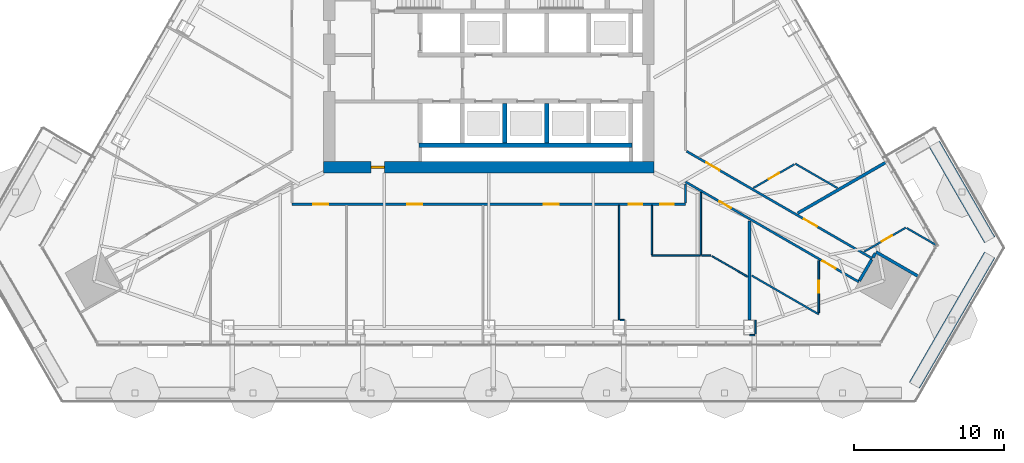
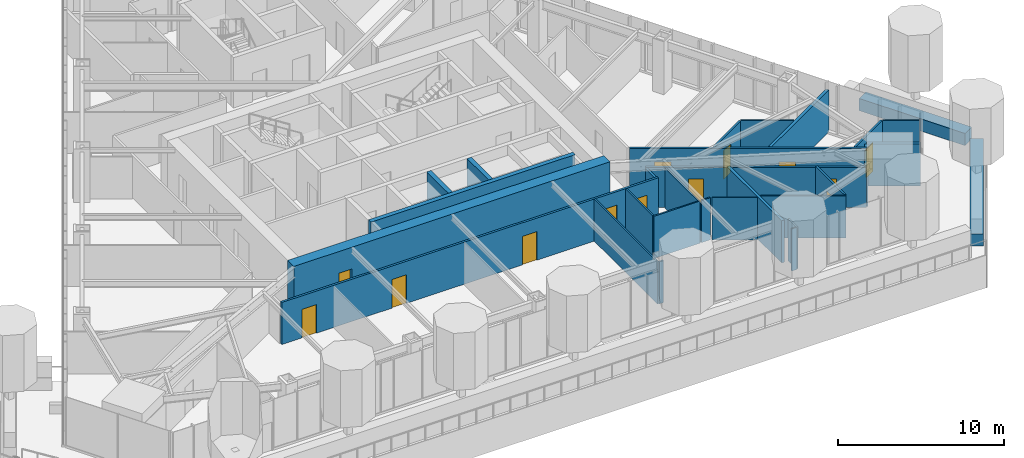
# One storey, part 17 of 24: 30 walls, 13 doors, 13 openings.
"""IFC4 building model written with IfcOpenShell, lengths in metres."""

from ifc_helpers import new_model, si_unit, direction, frame, frame_2d, origin, place, context, subcontext, project, spatial, rectangle, extrude, material, layer, layer_set, type_object, element, fill, save


model = new_model("IFC4")

# Units and contexts
model_context = context("Model", 3, precision=1e-05, world=origin(), true_north=direction((0.0, 1.0)))
body_context = subcontext(model_context, "Body", "Model", "MODEL_VIEW")
ifc_project = project(units=[si_unit("LENGTHUNIT", "METRE"), si_unit("AREAUNIT", "SQUARE_METRE"), si_unit("VOLUMEUNIT", "CUBIC_METRE"), si_unit("PLANEANGLEUNIT", "RADIAN"), si_unit("MASSUNIT", "GRAM", prefix="KILO")], contexts=[model_context])

# Site, building, storey
site_placement = place(None, origin())
site = spatial("IfcSite", under=ifc_project, at=site_placement, CompositionType="ELEMENT")
building_placement = place(site_placement, origin())
building = spatial("IfcBuilding", under=site, at=building_placement, Name="Firuza Gate Tower and Library", CompositionType="ELEMENT")
storey_placement = place(building_placement, frame((0.0, 0.0, 194.800048828125)))
storey = spatial("IfcBuildingStorey", under=building, at=storey_placement, Name="L45", CompositionType="ELEMENT", Elevation=194.800048828125)

# Walls
ifc_material_1 = material(Name="Concrete C80/95", Category="concrete")
ifc_layer_1 = layer(ifc_material_1, 0.300048828125)
ifc_layer_set_1 = layer_set([ifc_layer_1], Name="Core wall 300 C80/95")
wall_type_1 = type_object("IfcWallType", Name="Core wall 300 C80/95", PredefinedType="SHEAR", material=ifc_layer_set_1)
wall_1_placement = place(storey_placement, frame((70.35009765625, 68.85009765625, 0.0), z_axis=(0.0, 0.0, 1.0), x_axis=(1.0, 0.0, 0.0)))
element("IfcWall", 1, at=wall_1_placement, inside=storey, type_object=wall_type_1, Name="Core wall L45 5", PredefinedType="SHEAR", context=body_context, shape_type="SweptSolid", body=[
    extrude(rectangle(XDim=14.199951171875, YDim=0.300048828125, at=frame_2d((7.10009765625, 0.0))), origin(), (0.0, 0.0, 1.0), 3.699951171875),
])
for number, where, z_axis, x_axis, name in (
    (2, (76.050048828125, 69.0, 0.0), (0.0, 0.0, 1.0), (0.0, 1.0, 0.0), "Core wall L45 12"),
    (3, (78.85009765625, 69.0, 0.0), (0.0, 0.0, 1.0), (0.0, 1.0, 0.0), "Core wall L45 14"),
):
    element("IfcWall", number, at=place(storey_placement, frame(where, z_axis=z_axis, x_axis=x_axis)), inside=storey, type_object=wall_type_1, Name=name, PredefinedType="SHEAR", context=body_context, shape_type="SweptSolid", body=[
        extrude(rectangle(XDim=2.60009765625, YDim=0.300048828125, at=frame_2d((1.300048828125, 0.0))), origin(), (0.0, 0.0, 1.0), 3.699951171875),
    ])

# Wall, opening, door
ifc_material_2 = material(Name="Concrete C80/95", Category="concrete")
ifc_layer_2 = layer(ifc_material_2, 0.75)
ifc_layer_set_2 = layer_set([ifc_layer_2], Name="Core wall 750 C80/95")
wall_type_2 = type_object("IfcWallType", Name="Core wall 750 C80/95", PredefinedType="SHEAR", material=ifc_layer_set_2)
wall_2_placement = place(storey_placement, frame((64.0, 67.375, 0.0), z_axis=(0.0, 0.0, 1.0), x_axis=(1.0, 0.0, 0.0)))
wall_2 = element("IfcWall", 4, at=wall_2_placement, inside=storey, type_object=wall_type_2, Name="Core wall L45 1", PredefinedType="SHEAR", context=body_context, shape_type="SweptSolid", body=[
    extrude(rectangle(XDim=22.0, YDim=0.75, at=frame_2d((11.0, 0.0))), origin(), (0.0, 0.0, 1.0), 3.699951171875),
])
opening_1_placement = place(wall_2_placement, frame((3.14990234375, 0.0, 0.0)))
opening_1 = element("IfcOpeningElement", 5, at=opening_1_placement, cuts=wall_2, Name="Opening L45-K22", PredefinedType="OPENING", context=body_context, shape_type="SweptSolid", body=[
    extrude(rectangle(XDim=0.89990234375, YDim=2.10009765625, at=frame_2d((0.449951171875, 1.050048828125))), frame((0.0, 0.385009765625, 0.0), z_axis=(0.0, -1.0, 0.0), x_axis=(1.0, 0.0, 0.0)), (0.0, 0.0, 1.0), 0.77001953125),
])
ifc_material_3 = material(Name="Steel", Category="steel")
door_type_1 = type_object("IfcDoorType", Name="Fire door 900x2100 FD30S", OperationType="NOTDEFINED", PredefinedType="DOOR", material=ifc_material_3)
door_1_placement = place(opening_1_placement, origin())
door_1 = element("IfcDoor", 6, at=door_1_placement, inside=storey, type_object=door_type_1, Name="Door L45-K22", OperationType="SINGLE_SWING_LEFT", OverallHeight=2.10009765625, OverallWidth=0.89990234375, PredefinedType="DOOR", context=body_context, shape_type="SweptSolid", body=[
    extrude(rectangle(XDim=0.89990234375, YDim=2.10009765625, at=frame_2d((0.449951171875, 1.050048828125))), frame((0.0, 0.094970703125, 0.0), z_axis=(0.0, -1.0, 0.0), x_axis=(1.0, 0.0, 0.0)), (0.0, 0.0, 1.0), 0.18994140625),
])
fill(opening_1, door_1)

# Wall, openings, doors
ifc_material_4 = material(Name="Gypsum board partition")
ifc_layer_3 = layer(ifc_material_4, 0.14990234375)
ifc_layer_set_3 = layer_set([ifc_layer_3], Name="Corridor wall 150 double board on steel studs")
wall_type_3 = type_object("IfcWallType", Name="Corridor wall 150 double board on steel studs", PredefinedType="PARTITIONING", material=ifc_layer_set_3)
wall_3_placement = place(storey_placement, frame((88.10009765625, 64.89990234375, 0.0), z_axis=(0.0, 0.0, 1.0), x_axis=(-1.0, 0.0, 0.0)))
wall_3 = element("IfcWall", 7, at=wall_3_placement, inside=storey, type_object=wall_type_3, Name="f:L45:w004", PredefinedType="PARTITIONING", context=body_context, shape_type="SweptSolid", body=[
    extrude(rectangle(XDim=26.19970703125, YDim=0.14990234375, at=frame_2d((13.099853515625, 0.0))), origin(), (0.0, 0.0, 1.0), 3.099853515625),
])
opening_2_placement = place(wall_3_placement, frame((0.77294921875, 0.0, 0.0)))
opening_2 = element("IfcOpeningElement", 8, at=opening_2_placement, cuts=wall_3, Name="Opening L45-01", PredefinedType="OPENING", context=body_context, shape_type="SweptSolid", body=[
    extrude(rectangle(XDim=0.89990234375, YDim=2.10009765625, at=frame_2d((0.449951171875, 1.050048828125))), frame((0.0, 0.0849609375, 0.0), z_axis=(0.0, -1.0, 0.0), x_axis=(1.0, 0.0, 0.0)), (0.0, 0.0, 1.0), 0.169921875),
])
opening_3_placement = place(wall_3_placement, frame((2.87841796875, 0.0, 0.0)))
opening_3 = element("IfcOpeningElement", 9, at=opening_3_placement, cuts=wall_3, Name="Opening L45-02", PredefinedType="OPENING", context=body_context, shape_type="SweptSolid", body=[
    extrude(rectangle(XDim=0.89990234375, YDim=2.10009765625, at=frame_2d((0.449951171875, 1.050048828125))), frame((0.0, 0.0849609375, 0.0), z_axis=(0.0, -1.0, 0.0), x_axis=(1.0, 0.0, 0.0)), (0.0, 0.0, 1.0), 0.169921875),
])
opening_4_placement = place(wall_3_placement, frame((8.44970703125, 0.0, 0.0)))
opening_4 = element("IfcOpeningElement", 10, at=opening_4_placement, cuts=wall_3, Name="Opening L45-03", PredefinedType="OPENING", context=body_context, shape_type="SweptSolid", body=[
    extrude(rectangle(XDim=1.0, YDim=2.10009765625, at=frame_2d((0.5, 1.050048828125))), frame((0.0, 0.0849609375, 0.0), z_axis=(0.0, -1.0, 0.0), x_axis=(1.0, 0.0, 0.0)), (0.0, 0.0, 1.0), 0.169921875),
])
opening_5_placement = place(wall_3_placement, frame((17.5205078125, 0.0, 0.0)))
opening_5 = element("IfcOpeningElement", 11, at=opening_5_placement, cuts=wall_3, Name="Opening L45-04", PredefinedType="OPENING", context=body_context, shape_type="SweptSolid", body=[
    extrude(rectangle(XDim=1.0, YDim=2.10009765625, at=frame_2d((0.5, 1.050048828125))), frame((0.0, 0.0849609375, 0.0), z_axis=(0.0, -1.0, 0.0), x_axis=(1.0, 0.0, 0.0)), (0.0, 0.0, 1.0), 0.169921875),
])
opening_6_placement = place(wall_3_placement, frame((23.776123046875, 0.0, 0.0)))
opening_6 = element("IfcOpeningElement", 12, at=opening_6_placement, cuts=wall_3, Name="Opening L45-05", PredefinedType="OPENING", context=body_context, shape_type="SweptSolid", body=[
    extrude(rectangle(XDim=1.0, YDim=2.10009765625, at=frame_2d((0.5, 1.050048828125))), frame((0.0, 0.0849609375, 0.0), z_axis=(0.0, -1.0, 0.0), x_axis=(1.0, 0.0, 0.0)), (0.0, 0.0, 1.0), 0.169921875),
])
ifc_material_5 = material(Name="Steel door and timber leaf", Category="steel")
door_type_2 = type_object("IfcDoorType", Name="Fire door 1000 x 2100 steel frame, timber leaf", OperationType="NOTDEFINED", PredefinedType="DOOR", material=ifc_material_5)
door_2_placement = place(opening_4_placement, origin())
door_2 = element("IfcDoor", 13, at=door_2_placement, inside=storey, type_object=door_type_2, Name="f:L45:d003", OperationType="SINGLE_SWING_LEFT", OverallHeight=2.10009765625, OverallWidth=1.0, PredefinedType="DOOR", context=body_context, shape_type="SweptSolid", body=[
    extrude(rectangle(XDim=1.0, YDim=2.10009765625, at=frame_2d((0.5, 1.050048828125))), frame((0.0, 0.02490234375, 0.0), z_axis=(0.0, -1.0, 0.0), x_axis=(1.0, 0.0, 0.0)), (0.0, 0.0, 1.0), 0.050048828125),
])
fill(opening_4, door_2)
door_3_placement = place(opening_5_placement, origin())
door_3 = element("IfcDoor", 14, at=door_3_placement, inside=storey, type_object=door_type_2, Name="f:L45:d004", OperationType="SINGLE_SWING_RIGHT", OverallHeight=2.10009765625, OverallWidth=1.0, PredefinedType="DOOR", context=body_context, shape_type="SweptSolid", body=[
    extrude(rectangle(XDim=1.0, YDim=2.10009765625, at=frame_2d((0.5, 1.050048828125))), frame((0.0, 0.02490234375, 0.0), z_axis=(0.0, -1.0, 0.0), x_axis=(1.0, 0.0, 0.0)), (0.0, 0.0, 1.0), 0.050048828125),
])
fill(opening_5, door_3)
door_4_placement = place(opening_6_placement, origin())
door_4 = element("IfcDoor", 15, at=door_4_placement, inside=storey, type_object=door_type_2, Name="f:L45:d005", OperationType="SINGLE_SWING_LEFT", OverallHeight=2.10009765625, OverallWidth=1.0, PredefinedType="DOOR", context=body_context, shape_type="SweptSolid", body=[
    extrude(rectangle(XDim=1.0, YDim=2.10009765625, at=frame_2d((0.5, 1.050048828125))), frame((0.0, 0.02490234375, 0.0), z_axis=(0.0, -1.0, 0.0), x_axis=(1.0, 0.0, 0.0)), (0.0, 0.0, 1.0), 0.050048828125),
])
fill(opening_6, door_4)
ifc_material_6 = material(Name="Steel door and timber leaf", Category="steel")
door_type_3 = type_object("IfcDoorType", Name="Fire door 900 x 2100 steel frame, timber leaf", OperationType="NOTDEFINED", PredefinedType="DOOR", material=ifc_material_6)
door_5_placement = place(opening_2_placement, origin())
door_5 = element("IfcDoor", 16, at=door_5_placement, inside=storey, type_object=door_type_3, Name="f:L45:d001", OperationType="SINGLE_SWING_LEFT", OverallHeight=2.10009765625, OverallWidth=0.89990234375, PredefinedType="DOOR", context=body_context, shape_type="SweptSolid", body=[
    extrude(rectangle(XDim=0.89990234375, YDim=2.10009765625, at=frame_2d((0.449951171875, 1.050048828125))), frame((0.0, 0.02490234375, 0.0), z_axis=(0.0, -1.0, 0.0), x_axis=(1.0, 0.0, 0.0)), (0.0, 0.0, 1.0), 0.050048828125),
])
fill(opening_2, door_5)
door_6_placement = place(opening_3_placement, origin())
door_6 = element("IfcDoor", 17, at=door_6_placement, inside=storey, type_object=door_type_3, Name="f:L45:d002", OperationType="SINGLE_SWING_RIGHT", OverallHeight=2.10009765625, OverallWidth=0.89990234375, PredefinedType="DOOR", context=body_context, shape_type="SweptSolid", body=[
    extrude(rectangle(XDim=0.89990234375, YDim=2.10009765625, at=frame_2d((0.449951171875, 1.050048828125))), frame((0.0, 0.02490234375, 0.0), z_axis=(0.0, -1.0, 0.0), x_axis=(1.0, 0.0, 0.0)), (0.0, 0.0, 1.0), 0.050048828125),
])
fill(opening_3, door_6)

# Wall
wall_4_placement = place(storey_placement, frame((88.10009765625, 64.97509765625, 0.0), z_axis=(0.0, 0.0, 1.0), x_axis=(0.0, 1.0, 0.0)))
element("IfcWall", 18, at=wall_4_placement, inside=storey, type_object=wall_type_3, Name="f:L45:w036", PredefinedType="PARTITIONING", context=body_context, shape_type="SweptSolid", body=[
    extrude(rectangle(XDim=1.285888671875, YDim=0.14990234375, at=frame_2d((0.64306640625, 0.0))), origin(), (0.0, 0.0, 1.0), 2.947021484375),
])

# Wall, openings, doors
wall_5_placement = place(storey_placement, frame((88.175048828125, 68.4326171875, 0.0), z_axis=(0.0, 0.0, 1.0), x_axis=(0.866031488074, -0.499989461553, 0.0)))
wall_5 = element("IfcWall", 19, at=wall_5_placement, inside=storey, type_object=wall_type_3, Name="f:L45:w071", PredefinedType="PARTITIONING", context=body_context, shape_type="SweptSolid", body=[
    extrude(rectangle(XDim=14.273193359375, YDim=0.14990234375, at=frame_2d((7.13671875, 0.0))), origin(), (0.0, 0.0, 1.0), 3.099853515625),
])
opening_7_placement = place(wall_5_placement, frame((1.512939453125, 0.0, 0.0)))
opening_7 = element("IfcOpeningElement", 20, at=opening_7_placement, cuts=wall_5, Name="Opening L45-30", PredefinedType="OPENING", context=body_context, shape_type="SweptSolid", body=[
    extrude(rectangle(XDim=1.0, YDim=2.10009765625, at=frame_2d((0.5, 1.050048828125))), frame((0.0, 0.0849609375, 0.0), z_axis=(0.0, -1.0, 0.0), x_axis=(1.0, 0.0, 0.0)), (0.0, 0.0, 1.0), 0.169921875),
])
opening_8_placement = place(wall_5_placement, frame((9.007568359375, 0.0, 0.0)))
opening_8 = element("IfcOpeningElement", 21, at=opening_8_placement, cuts=wall_5, Name="Opening L45-31", PredefinedType="OPENING", context=body_context, shape_type="SweptSolid", body=[
    extrude(rectangle(XDim=1.0, YDim=2.10009765625, at=frame_2d((0.5, 1.050048828125))), frame((0.0, 0.0849609375, 0.0), z_axis=(0.0, -1.0, 0.0), x_axis=(1.0, 0.0, 0.0)), (0.0, 0.0, 1.0), 0.169921875),
])
door_7_placement = place(opening_7_placement, origin())
door_7 = element("IfcDoor", 22, at=door_7_placement, inside=storey, type_object=door_type_2, Name="f:L45:d030", OperationType="SINGLE_SWING_LEFT", OverallHeight=2.10009765625, OverallWidth=1.0, PredefinedType="DOOR", context=body_context, shape_type="SweptSolid", body=[
    extrude(rectangle(XDim=1.0, YDim=2.10009765625, at=frame_2d((0.5, 1.050048828125))), frame((0.0, 0.02490234375, 0.0), z_axis=(0.0, -1.0, 0.0), x_axis=(1.0, 0.0, 0.0)), (0.0, 0.0, 1.0), 0.050048828125),
])
fill(opening_7, door_7)
door_8_placement = place(opening_8_placement, origin())
door_8 = element("IfcDoor", 23, at=door_8_placement, inside=storey, type_object=door_type_2, Name="f:L45:d031", OperationType="SINGLE_SWING_LEFT", OverallHeight=2.10009765625, OverallWidth=1.0, PredefinedType="DOOR", context=body_context, shape_type="SweptSolid", body=[
    extrude(rectangle(XDim=1.0, YDim=2.10009765625, at=frame_2d((0.5, 1.050048828125))), frame((0.0, 0.02490234375, 0.0), z_axis=(0.0, -1.0, 0.0), x_axis=(1.0, 0.0, 0.0)), (0.0, 0.0, 1.0), 0.050048828125),
])
fill(opening_8, door_8)

wall_6_placement = place(storey_placement, frame((99.6357421875, 59.737548828125, 0.0), z_axis=(0.0, 0.0, 1.0), x_axis=(-0.866031754707, 0.499988999718, 0.0)))
wall_6 = element("IfcWall", 24, at=wall_6_placement, inside=storey, type_object=wall_type_3, Name="f:L45:w074", PredefinedType="PARTITIONING", context=body_context, shape_type="SweptSolid", body=[
    extrude(rectangle(XDim=13.320068359375, YDim=0.14990234375, at=frame_2d((6.66015625, 0.0))), origin(), (0.0, 0.0, 1.0), 2.947021484375),
])
opening_9_placement = place(wall_6_placement, frame((1.795654296875, 0.0, 0.0)))
opening_9 = element("IfcOpeningElement", 25, at=opening_9_placement, cuts=wall_6, Name="Opening L45-32", PredefinedType="OPENING", context=body_context, shape_type="SweptSolid", body=[
    extrude(rectangle(XDim=1.0, YDim=2.10009765625, at=frame_2d((0.5, 1.050048828125))), frame((0.0, 0.0849609375, 0.0), z_axis=(0.0, -1.0, 0.0), x_axis=(1.0, 0.0, 0.0)), (0.0, 0.0, 1.0), 0.169921875),
])
opening_10_placement = place(wall_6_placement, frame((9.818115234375, 0.0, 0.0)))
opening_10 = element("IfcOpeningElement", 26, at=opening_10_placement, cuts=wall_6, Name="Opening L45-33", PredefinedType="OPENING", context=body_context, shape_type="SweptSolid", body=[
    extrude(rectangle(XDim=0.89990234375, YDim=2.10009765625, at=frame_2d((0.449951171875, 1.050048828125))), frame((0.0, 0.0849609375, 0.0), z_axis=(0.0, -1.0, 0.0), x_axis=(1.0, 0.0, 0.0)), (0.0, 0.0, 1.0), 0.169921875),
])
door_9_placement = place(opening_9_placement, origin())
door_9 = element("IfcDoor", 27, at=door_9_placement, inside=storey, type_object=door_type_2, Name="f:L45:d032", OperationType="SINGLE_SWING_RIGHT", OverallHeight=2.10009765625, OverallWidth=1.0, PredefinedType="DOOR", context=body_context, shape_type="SweptSolid", body=[
    extrude(rectangle(XDim=1.0, YDim=2.10009765625, at=frame_2d((0.5, 1.050048828125))), frame((0.0, 0.02490234375, 0.0), z_axis=(0.0, -1.0, 0.0), x_axis=(1.0, 0.0, 0.0)), (0.0, 0.0, 1.0), 0.050048828125),
])
fill(opening_9, door_9)
door_10_placement = place(opening_10_placement, origin())
door_10 = element("IfcDoor", 28, at=door_10_placement, inside=storey, type_object=door_type_3, Name="f:L45:d033", OperationType="SINGLE_SWING_LEFT", OverallHeight=2.10009765625, OverallWidth=0.89990234375, PredefinedType="DOOR", context=body_context, shape_type="SweptSolid", body=[
    extrude(rectangle(XDim=0.89990234375, YDim=2.10009765625, at=frame_2d((0.449951171875, 1.050048828125))), frame((0.0, 0.02490234375, 0.0), z_axis=(0.0, -1.0, 0.0), x_axis=(1.0, 0.0, 0.0)), (0.0, 0.0, 1.0), 0.050048828125),
])
fill(opening_10, door_10)

# Walls
ifc_material_7 = material(Name="Gypsum board partition")
ifc_layer_4 = layer(ifc_material_7, 0.199951171875)
ifc_layer_set_4 = layer_set([ifc_layer_4], Name="Demising wall 200 acoustic double stud")
wall_type_4 = type_object("IfcWallType", Name="Demising wall 200 acoustic double stud", PredefinedType="PARTITIONING", material=ifc_layer_set_4)
wall_7_placement = place(storey_placement, frame((95.56982421875, 64.309814453125, 0.0), z_axis=(0.0, 0.0, 1.0), x_axis=(0.866026061359, 0.499998861046, 0.0)))
element("IfcWall", 29, at=wall_7_placement, inside=storey, type_object=wall_type_4, Name="f:L45:w014", PredefinedType="PARTITIONING", context=body_context, shape_type="SweptSolid", body=[
    extrude(rectangle(XDim=6.93212890625, YDim=0.199951171875, at=frame_2d((3.466064453125, 0.0))), origin(), (0.0, 0.0, 1.0), 3.099853515625),
])
wall_8_placement = place(storey_placement, frame((99.674072265625, 59.802490234375, 0.0), z_axis=(0.0, 0.0, 1.0), x_axis=(0.499991515992, 0.866030301974, 0.0)))
element("IfcWall", 30, at=wall_8_placement, inside=storey, type_object=wall_type_4, Name="f:L45:w028", PredefinedType="PARTITIONING", context=body_context, shape_type="SweptSolid", body=[
    extrude(rectangle(XDim=1.6494140625, YDim=0.199951171875, at=frame_2d((0.82470703125, 0.0))), origin(), (0.0, 0.0, 1.0), 2.947021484375),
])
wall_9_placement = place(storey_placement, frame((92.3720703125, 57.198974609375, 0.0), z_axis=(0.0, 0.0, 1.0), x_axis=(0.0, 1.0, 0.0)))
element("IfcWall", 31, at=wall_9_placement, inside=storey, type_object=wall_type_4, Name="f:L45:w033", PredefinedType="PARTITIONING", context=body_context, shape_type="SweptSolid", body=[
    extrude(rectangle(XDim=6.585693359375, YDim=0.199951171875, at=frame_2d((3.29296875, 0.0))), origin(), (0.0, 0.0, 1.0), 3.099853515625),
])
wall_10_placement = place(storey_placement, frame((103.609375, 60.09912109375, 0.0), z_axis=(0.0, 0.0, 1.0), x_axis=(-0.866035906198, 0.499981808845, 0.0)))
element("IfcWall", 32, at=wall_10_placement, inside=storey, type_object=wall_type_4, Name="f:L45:w070", PredefinedType="PARTITIONING", context=body_context, shape_type="SweptSolid", body=[
    extrude(rectangle(XDim=3.25927734375, YDim=0.199951171875, at=frame_2d((1.629638671875, 0.0))), origin(), (0.0, 0.0, 1.0), 3.099853515625),
])
wall_11_placement = place(storey_placement, frame((100.57373046875, 61.36083984375, 0.0), z_axis=(0.0, 0.0, 1.0), x_axis=(0.500265064493, 0.865872314633, 0.0)))
element("IfcWall", 33, at=wall_11_placement, inside=storey, type_object=wall_type_4, Name="f:L45:w083", PredefinedType="PARTITIONING", context=body_context, shape_type="SweptSolid", body=[
    extrude(rectangle(XDim=0.324462890625, YDim=0.199951171875, at=frame_2d((0.162109375, 0.0))), origin(), (0.0, 0.0, 1.0), 3.099853515625),
])
ifc_material_8 = material(Name="Gypsum board partition")
ifc_layer_5 = layer(ifc_material_8, 0.10009765625)
ifc_layer_set_5 = layer_set([ifc_layer_5], Name="Partition 100 gypsum board on steel studs")
wall_type_5 = type_object("IfcWallType", Name="Partition 100 gypsum board on steel studs", PredefinedType="PARTITIONING", material=ifc_layer_set_5)
wall_12_placement = place(storey_placement, frame((92.37158203125, 56.198974609375, 0.0), z_axis=(0.0, 0.0, 1.0), x_axis=(1.0, 0.0, 0.0)))
element("IfcWall", 34, at=wall_12_placement, inside=storey, type_object=wall_type_5, Name="f:L45:w001", PredefinedType="PARTITIONING", context=body_context, shape_type="SweptSolid", body=[
    extrude(rectangle(XDim=0.349365234375, YDim=0.10009765625, at=frame_2d((0.1748046875, 0.0))), origin(), (0.0, 0.0, 1.0), 3.099853515625),
])
wall_13_placement = place(storey_placement, frame((83.745849609375, 57.198974609375, 0.0), z_axis=(0.0, 0.0, 1.0), x_axis=(1.0, 0.0, 0.0)))
element("IfcWall", 35, at=wall_13_placement, inside=storey, type_object=wall_type_5, Name="f:L45:w002", PredefinedType="PARTITIONING", context=body_context, shape_type="SweptSolid", body=[
    extrude(rectangle(XDim=0.28955078125, YDim=0.10009765625, at=frame_2d((0.144775390625, 0.0))), origin(), (0.0, 0.0, 1.0), 3.099853515625),
])
wall_14_placement = place(storey_placement, frame((85.857177734375, 61.5, 0.0), z_axis=(0.0, 0.0, 1.0), x_axis=(1.0, 0.0, 0.0)))
element("IfcWall", 36, at=wall_14_placement, inside=storey, type_object=wall_type_5, Name="f:L45:w003", PredefinedType="PARTITIONING", context=body_context, shape_type="SweptSolid", body=[
    extrude(rectangle(XDim=3.206787109375, YDim=0.10009765625, at=frame_2d((1.603515625, 0.0))), origin(), (0.0, 0.0, 1.0), 3.099853515625),
])
wall_15_placement = place(storey_placement, frame((92.77197265625, 56.199462890625, 0.0), z_axis=(0.0, 0.0, 1.0), x_axis=(0.0, 1.0, 0.0)))
element("IfcWall", 37, at=wall_15_placement, inside=storey, type_object=wall_type_5, Name="f:L45:w032", PredefinedType="PARTITIONING", context=body_context, shape_type="SweptSolid", body=[
    extrude(rectangle(XDim=0.998779296875, YDim=0.10009765625, at=frame_2d((0.49951171875, 0.0))), origin(), (0.0, 0.0, 1.0), 3.099853515625),
])
wall_16_placement = place(storey_placement, frame((89.114013671875, 61.5, 0.0), z_axis=(0.0, 0.0, 1.0), x_axis=(0.0, 1.0, 0.0)))
element("IfcWall", 38, at=wall_16_placement, inside=storey, type_object=wall_type_5, Name="f:L45:w035", PredefinedType="PARTITIONING", context=body_context, shape_type="SweptSolid", body=[
    extrude(rectangle(XDim=4.1953125, YDim=0.10009765625, at=frame_2d((2.09765625, 0.0))), origin(), (0.0, 0.0, 1.0), 2.947021484375),
])
wall_17_placement = place(storey_placement, frame((85.85693359375, 61.550048828125, 0.0), z_axis=(0.0, 0.0, 1.0), x_axis=(0.0, 1.0, 0.0)))
element("IfcWall", 39, at=wall_17_placement, inside=storey, type_object=wall_type_5, Name="f:L45:w038", PredefinedType="PARTITIONING", context=body_context, shape_type="SweptSolid", body=[
    extrude(rectangle(XDim=3.27490234375, YDim=0.10009765625, at=frame_2d((1.637451171875, 0.0))), origin(), (0.0, 0.0, 1.0), 3.099853515625),
])
wall_18_placement = place(storey_placement, frame((83.68603515625, 57.198974609375, 0.0), z_axis=(0.0, 0.0, 1.0), x_axis=(0.0, 1.0, 0.0)))
element("IfcWall", 40, at=wall_18_placement, inside=storey, type_object=wall_type_5, Name="f:L45:w040", PredefinedType="PARTITIONING", context=body_context, shape_type="SweptSolid", body=[
    extrude(rectangle(XDim=7.6259765625, YDim=0.10009765625, at=frame_2d((3.81298828125, 0.0))), origin(), (0.0, 0.0, 1.0), 3.099853515625),
])
wall_19_placement = place(storey_placement, frame((92.24560546875, 60.078125, 0.0), z_axis=(0.0, 0.0, 1.0), x_axis=(-0.866000366307, 0.500043363675, 0.0)))
element("IfcWall", 41, at=wall_19_placement, inside=storey, type_object=wall_type_5, Name="f:L45:w076", PredefinedType="PARTITIONING", context=body_context, shape_type="SweptSolid", body=[
    extrude(rectangle(XDim=2.743896484375, YDim=0.10009765625, at=frame_2d((1.3720703125, 0.0))), origin(), (0.0, 0.0, 1.0), 3.099853515625),
])
wall_20_placement = place(storey_placement, frame((89.1640625, 61.5, 0.0), z_axis=(0.0, 0.0, 1.0), x_axis=(1.0, 0.0, 0.0)))
element("IfcWall", 42, at=wall_20_placement, inside=storey, type_object=wall_type_5, Name="f:L45:w079", PredefinedType="PARTITIONING", context=body_context, shape_type="SweptSolid", body=[
    extrude(rectangle(XDim=0.61865234375, YDim=0.10009765625, at=frame_2d((0.309326171875, 0.0))), origin(), (0.0, 0.0, 1.0), 3.099853515625),
])
ifc_material_9 = material(Name="Concrete C40/50", Category="concrete")
ifc_layer_6 = layer(ifc_material_9, 0.800048828125)
ifc_layer_set_6 = layer_set([ifc_layer_6], Name="Planter wall 800")
wall_type_6 = type_object("IfcWallType", Name="Planter wall 800", PredefinedType="SOLIDWALL", material=ifc_layer_set_6)
wall_21_placement = place(storey_placement, frame((103.34033203125, 52.853271484375, 0.0), z_axis=(0.0, 0.0, 1.0), x_axis=(0.50001002959, 0.86601961312, 0.0)))
element("IfcWall", 43, at=wall_21_placement, inside=storey, type_object=wall_type_6, Name="PLANTER L45 5", PredefinedType="SOLIDWALL", context=body_context, shape_type="SweptSolid", body=[
    extrude(rectangle(XDim=10.018798828125, YDim=0.800048828125, at=frame_2d((5.00927734375, 0.0))), origin(), (0.0, 0.0, 1.0), 0.89990234375),
])
wall_22_placement = place(storey_placement, frame((108.349853515625, 62.53857421875, 0.0), z_axis=(0.0, 0.0, 1.0), x_axis=(-0.499999805269, 0.866025516212, 0.0)))
element("IfcWall", 44, at=wall_22_placement, inside=storey, type_object=wall_type_6, Name="PLANTER L45 6", PredefinedType="SOLIDWALL", context=body_context, shape_type="SweptSolid", body=[
    extrude(rectangle(XDim=7.36572265625, YDim=0.800048828125, at=frame_2d((3.682861328125, 0.0))), origin(), (0.0, 0.0, 1.0), 0.89990234375),
])

# Wall, opening, door
ifc_material_10 = material(Name="Gypsum board partition")
ifc_layer_7 = layer(ifc_material_10, 0.1201171875)
ifc_layer_set_7 = layer_set([ifc_layer_7], Name="Wet-area partition 120 moisture-resistant board")
wall_type_7 = type_object("IfcWallType", Name="Wet-area partition 120 moisture-resistant board", PredefinedType="PARTITIONING", material=ifc_layer_set_7)
wall_23_placement = place(storey_placement, frame((102.77294921875, 63.353271484375, 0.0), z_axis=(0.0, 0.0, 1.0), x_axis=(-0.866010186656, -0.500026355914, 0.0)))
wall_23 = element("IfcWall", 45, at=wall_23_placement, inside=storey, type_object=wall_type_7, Name="f:L45:w013", PredefinedType="PARTITIONING", context=body_context, shape_type="SweptSolid", body=[
    extrude(rectangle(XDim=3.221923828125, YDim=0.1201171875, at=frame_2d((1.61083984375, 0.0))), origin(), (0.0, 0.0, 1.0), 3.099853515625),
])
opening_11_placement = place(wall_23_placement, frame((1.06103515625, 0.0, 0.0)))
opening_11 = element("IfcOpeningElement", 46, at=opening_11_placement, cuts=wall_23, Name="Opening L45-12", PredefinedType="OPENING", context=body_context, shape_type="SweptSolid", body=[
    extrude(rectangle(XDim=0.800048828125, YDim=2.10009765625, at=frame_2d((0.39990234375, 1.050048828125))), frame((0.0, 0.070068359375, 0.0), z_axis=(0.0, -1.0, 0.0), x_axis=(1.0, 0.0, 0.0)), (0.0, 0.0, 1.0), 0.14013671875),
])
ifc_material_11 = material(Name="Timber door", Category="wood")
door_type_4 = type_object("IfcDoorType", Name="Door 800 x 2100 timber leaf", OperationType="NOTDEFINED", PredefinedType="DOOR", material=ifc_material_11)
door_11_placement = place(opening_11_placement, origin())
door_11 = element("IfcDoor", 47, at=door_11_placement, inside=storey, type_object=door_type_4, Name="f:L45:d012", OperationType="SINGLE_SWING_RIGHT", OverallHeight=2.10009765625, OverallWidth=0.800048828125, PredefinedType="DOOR", context=body_context, shape_type="SweptSolid", body=[
    extrude(rectangle(XDim=0.800048828125, YDim=2.10009765625, at=frame_2d((0.39990234375, 1.050048828125))), frame((0.0, 0.02490234375, 0.0), z_axis=(0.0, -1.0, 0.0), x_axis=(1.0, 0.0, 0.0)), (0.0, 0.0, 1.0), 0.050048828125),
])
fill(opening_11, door_11)

wall_24_placement = place(storey_placement, frame((95.351806640625, 67.568359375, 0.0), z_axis=(0.0, 0.0, 1.0), x_axis=(-0.866028267601, -0.499995039691, 0.0)))
wall_24 = element("IfcWall", 48, at=wall_24_placement, inside=storey, type_object=wall_type_7, Name="f:L45:w015", PredefinedType="PARTITIONING", context=body_context, shape_type="SweptSolid", body=[
    extrude(rectangle(XDim=3.15283203125, YDim=0.1201171875, at=frame_2d((1.576416015625, 0.0))), origin(), (0.0, 0.0, 1.0), 3.099853515625),
])
opening_12_placement = place(wall_24_placement, frame((1.17626953125, 0.0, 0.0)))
opening_12 = element("IfcOpeningElement", 49, at=opening_12_placement, cuts=wall_24, Name="Opening L45-13", PredefinedType="OPENING", context=body_context, shape_type="SweptSolid", body=[
    extrude(rectangle(XDim=0.800048828125, YDim=2.10009765625, at=frame_2d((0.39990234375, 1.050048828125))), frame((0.0, 0.070068359375, 0.0), z_axis=(0.0, -1.0, 0.0), x_axis=(1.0, 0.0, 0.0)), (0.0, 0.0, 1.0), 0.14013671875),
])
door_12_placement = place(opening_12_placement, origin())
door_12 = element("IfcDoor", 50, at=door_12_placement, inside=storey, type_object=door_type_4, Name="f:L45:d013", OperationType="SINGLE_SWING_RIGHT", OverallHeight=2.10009765625, OverallWidth=0.800048828125, PredefinedType="DOOR", context=body_context, shape_type="SweptSolid", body=[
    extrude(rectangle(XDim=0.800048828125, YDim=2.10009765625, at=frame_2d((0.39990234375, 1.050048828125))), frame((0.0, 0.02490234375, 0.0), z_axis=(0.0, -1.0, 0.0), x_axis=(1.0, 0.0, 0.0)), (0.0, 0.0, 1.0), 0.050048828125),
])
fill(opening_12, door_12)

wall_25_placement = place(storey_placement, frame((96.972900390625, 57.688720703125, 0.0), z_axis=(0.0, 0.0, 1.0), x_axis=(0.0, 1.0, 0.0)))
wall_25 = element("IfcWall", 51, at=wall_25_placement, inside=storey, type_object=wall_type_7, Name="f:L45:w031", PredefinedType="PARTITIONING", context=body_context, shape_type="SweptSolid", body=[
    extrude(rectangle(XDim=3.459228515625, YDim=0.1201171875, at=frame_2d((1.7294921875, 0.0))), origin(), (0.0, 0.0, 1.0), 3.099853515625),
])
opening_13_placement = place(wall_25_placement, frame((1.32958984375, 0.0, 0.0)))
opening_13 = element("IfcOpeningElement", 52, at=opening_13_placement, cuts=wall_25, Name="Opening L45-20", PredefinedType="OPENING", context=body_context, shape_type="SweptSolid", body=[
    extrude(rectangle(XDim=0.800048828125, YDim=2.10009765625, at=frame_2d((0.39990234375, 1.050048828125))), frame((0.0, 0.070068359375, 0.0), z_axis=(0.0, -1.0, 0.0), x_axis=(1.0, 0.0, 0.0)), (0.0, 0.0, 1.0), 0.14013671875),
])
door_13_placement = place(opening_13_placement, origin())
door_13 = element("IfcDoor", 53, at=door_13_placement, inside=storey, type_object=door_type_4, Name="f:L45:d020", OperationType="SINGLE_SWING_LEFT", OverallHeight=2.10009765625, OverallWidth=0.800048828125, PredefinedType="DOOR", context=body_context, shape_type="SweptSolid", body=[
    extrude(rectangle(XDim=0.800048828125, YDim=2.10009765625, at=frame_2d((0.39990234375, 1.050048828125))), frame((0.0, 0.02490234375, 0.0), z_axis=(0.0, -1.0, 0.0), x_axis=(1.0, 0.0, 0.0)), (0.0, 0.0, 1.0), 0.050048828125),
])
fill(opening_13, door_13)

# Walls
wall_26_placement = place(storey_placement, frame((104.783447265625, 62.192626953125, 0.0), z_axis=(0.0, 0.0, 1.0), x_axis=(-0.866046587367, 0.499963307164, 0.0)))
element("IfcWall", 54, at=wall_26_placement, inside=storey, type_object=wall_type_7, Name="f:L45:w068", PredefinedType="PARTITIONING", context=body_context, shape_type="SweptSolid", body=[
    extrude(rectangle(XDim=2.252197265625, YDim=0.1201171875, at=frame_2d((1.1259765625, 0.0))), origin(), (0.0, 0.0, 1.0), 3.099853515625),
])
wall_27_placement = place(storey_placement, frame((98.20849609375, 65.988525390625, 0.0), z_axis=(0.0, 0.0, 1.0), x_axis=(-0.866029485168, 0.49999293077, 0.0)))
element("IfcWall", 55, at=wall_27_placement, inside=storey, type_object=wall_type_7, Name="f:L45:w069", PredefinedType="PARTITIONING", context=body_context, shape_type="SweptSolid", body=[
    extrude(rectangle(XDim=3.2294921875, YDim=0.1201171875, at=frame_2d((1.61474609375, 0.0))), origin(), (0.0, 0.0, 1.0), 3.099853515625),
])
wall_28_placement = place(storey_placement, frame((96.973388671875, 57.57958984375, 0.0), z_axis=(0.0, 0.0, 1.0), x_axis=(-0.866020851292, 0.500007885066, 0.0)))
element("IfcWall", 56, at=wall_28_placement, inside=storey, type_object=wall_type_7, Name="f:L45:w075", PredefinedType="PARTITIONING", context=body_context, shape_type="SweptSolid", body=[
    extrude(rectangle(XDim=5.158203125, YDim=0.1201171875, at=frame_2d((2.5791015625, 0.0))), origin(), (0.0, 0.0, 1.0), 3.099853515625),
])

save(model, "model.ifc")
